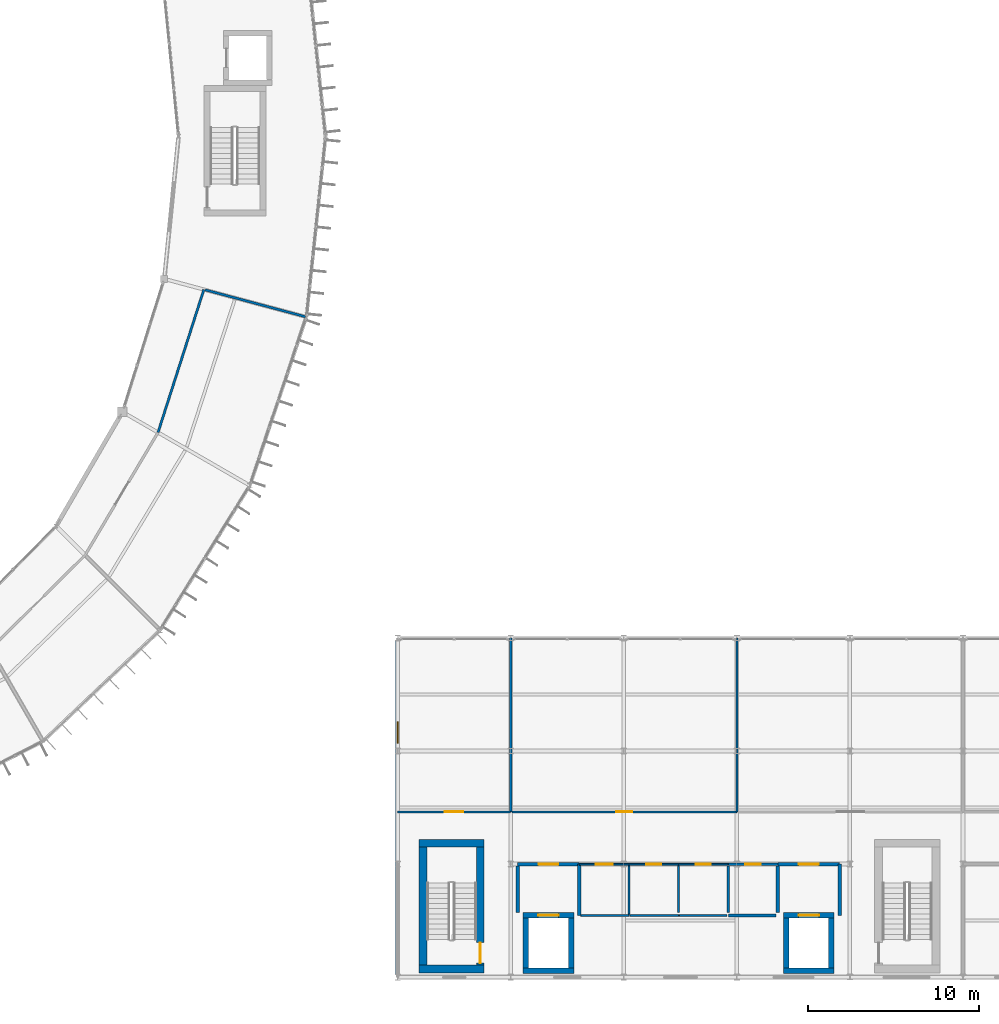
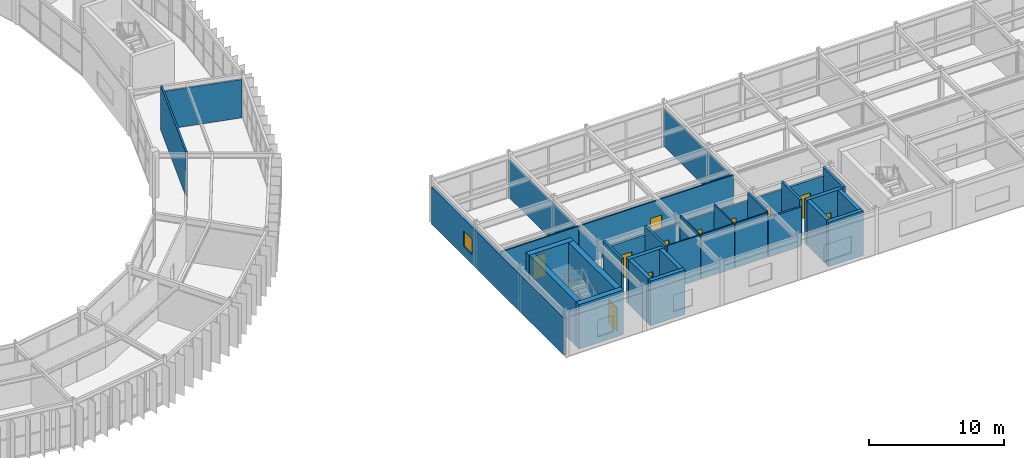
# One storey, part 117 of 134: 36 walls, 11 doors, 1 window, 12 openings.
"""IFC4 building model written with IfcOpenShell, lengths in metres."""

import ifcopenshell
import ifcopenshell.guid

model = None  # the IFC model being written
_history = None  # IfcOwnerHistory: only IFC2X3 demands one
_inside = {}  # id of a spatial element -> (the spatial element, [elements in it])
_under = {}  # id of a project, library or spatial element -> (it, [spatial elements below it])
_declared = {}  # id of a project -> (the project, [libraries it declares])
_typed = {}  # id of a type object -> (the type object, [elements of that type])
_made_of = {}  # id of a material, layer set ... -> (it, [elements and type objects made of it])


def new_model(schema):
    """Start an empty IFC model of exactly this schema.

    Asked for "IFC4X3", IfcOpenShell would pick the latest addendum, in which some entities
    have other attributes; the version numbers below select the first issue.
    IFC2X3 requires an IfcOwnerHistory on every rooted entity: one is made here for all.
    """
    global model, _history
    if schema == "IFC4X3":
        model = ifcopenshell.file(schema_version=(4, 3, 0, 0))
    else:
        model = ifcopenshell.file(schema=schema)
    _inside.clear()
    _under.clear()
    _declared.clear()
    _typed.clear()
    _made_of.clear()
    _history = None
    if model.schema == "IFC2X3":
        org = make("IfcOrganization", Name="unknown")
        user = make(
            "IfcPersonAndOrganization",
            ThePerson=make("IfcPerson", FamilyName="unknown"),
            TheOrganization=org,
        )
        app = make(
            "IfcApplication",
            ApplicationDeveloper=org,
            Version="unknown",
            ApplicationFullName="unknown",
            ApplicationIdentifier="unknown",
        )
        _history = make(
            "IfcOwnerHistory",
            OwningUser=user,
            OwningApplication=app,
            ChangeAction="ADDED",
            CreationDate=0,
        )
    return model


def make(cls, **values):
    """One entity of the class cls with the attributes given. An attribute that is None is left unset."""
    return model.create_entity(
        cls, **{name: value for name, value in values.items() if value is not None}
    )


def rooted(cls, **values):
    """An entity with a GlobalId (a new one), such as an element, a storey or a relation."""
    return make(cls, GlobalId=ifcopenshell.guid.new(), OwnerHistory=_history, **values)


def si_unit(unit_type, name, prefix=None):
    """IfcSIUnit, for example si_unit("LENGTHUNIT", "METRE", prefix="MILLI")."""
    return make("IfcSIUnit", UnitType=unit_type, Prefix=prefix, Name=name)


def assignment(units):
    """IfcUnitAssignment: the units of a project."""
    return None if units is None else make("IfcUnitAssignment", Units=units)


def point(xyz):
    """IfcCartesianPoint."""
    return None if xyz is None else make("IfcCartesianPoint", Coordinates=xyz)


def direction(xyz):
    """IfcDirection."""
    return None if xyz is None else make("IfcDirection", DirectionRatios=xyz)


def frame(location, z_axis=None, x_axis=None):
    """IfcAxis2Placement3D, a coordinate frame: its origin and axes. An axis left out is left unset."""
    return make(
        "IfcAxis2Placement3D",
        Location=point(location),
        Axis=direction(z_axis),
        RefDirection=direction(x_axis),
    )


def frame_2d(location, x_axis=None):
    """IfcAxis2Placement2D, a coordinate frame in the plane: its origin and x axis."""
    return make(
        "IfcAxis2Placement2D", Location=point(location), RefDirection=direction(x_axis)
    )


def origin():
    """The frame at (0, 0, 0) with its axes left unset."""
    return frame((0.0, 0.0, 0.0))


def place(relative_to, where):
    """IfcLocalPlacement: puts the frame where relative to a parent placement (None: the world)."""
    return make(
        "IfcLocalPlacement", PlacementRelTo=relative_to, RelativePlacement=where
    )


def context(
    kind, dimensions, precision=None, world=None, true_north=None, identifier=None
):
    """IfcGeometricRepresentationContext, for example the 3D "Model" context."""
    return make(
        "IfcGeometricRepresentationContext",
        ContextIdentifier=identifier,
        ContextType=kind,
        CoordinateSpaceDimension=dimensions,
        Precision=precision,
        WorldCoordinateSystem=world,
        TrueNorth=true_north,
    )


def subcontext(parent, identifier, kind, view, scale=None):
    """IfcGeometricRepresentationSubContext, for example "Body" below "Model"."""
    return make(
        "IfcGeometricRepresentationSubContext",
        ContextIdentifier=identifier,
        ContextType=kind,
        ParentContext=parent,
        TargetScale=scale,
        TargetView=view,
    )


def project(units=None, contexts=None):
    """IfcProject with its units and contexts."""
    return rooted(
        "IfcProject",
        Name="project",
        RepresentationContexts=contexts,
        UnitsInContext=assignment(units),
    )


def spatial(cls, under=None, at=None, **own):
    """A site, building, storey or space (cls), placed at a placement, below another one or the project."""
    s = rooted(cls, ObjectPlacement=at, **own)
    if under is not None:
        _under.setdefault(under.id(), (under, []))[1].append(s)
    return s


def profile(cls, at=None, kind="AREA", **sizes):
    """A parametric profile (cls). Its sizes go by their IFC names, for example OverallWidth=200.0."""
    return make(cls, ProfileType=kind, Position=at, **sizes)


def rectangle(**sizes):
    """IfcRectangleProfileDef."""
    return profile("IfcRectangleProfileDef", **sizes)


def extrude(swept, where, along, depth):
    """IfcExtrudedAreaSolid: the profile swept, set in the frame where, extruded along a direction by depth."""
    return make(
        "IfcExtrudedAreaSolid",
        SweptArea=swept,
        Position=where,
        ExtrudedDirection=direction(along),
        Depth=depth,
    )


def shape(context_of_items, identifier, shape_type, items):
    """IfcShapeRepresentation: the items that make up one representation, for example the "Body"."""
    return make(
        "IfcShapeRepresentation",
        ContextOfItems=context_of_items,
        RepresentationIdentifier=identifier,
        RepresentationType=shape_type,
        Items=items,
    )


def material(Name=None, Category=None):
    """IfcMaterial."""
    return make("IfcMaterial", Name=Name, Category=Category)


def layer(
    of_material, thickness, ventilated=None, Name=None, Category=None, Priority=None
):
    """IfcMaterialLayer: one layer of a wall or slab, of a material (None: an air gap)."""
    return make(
        "IfcMaterialLayer",
        Material=of_material,
        LayerThickness=thickness,
        IsVentilated=ventilated,
        Name=Name,
        Category=Category,
        Priority=Priority,
    )


def layer_set(layers, Name=None):
    """IfcMaterialLayerSet."""
    return make("IfcMaterialLayerSet", MaterialLayers=layers, LayerSetName=Name)


def made_of(thing, what):
    """Note that an element or type object is made of a material, layer set ...; save() writes the relation."""
    if what is not None:
        _made_of.setdefault(what.id(), (what, []))[1].append(thing)
    return thing


def type_object(cls, material=None, **own):
    """A type object (cls), such as IfcWallType, which elements share."""
    return made_of(rooted(cls, **own), material)


def element(
    cls,
    number,
    at=None,
    inside=None,
    cuts=None,
    type_object=None,
    material=None,
    context=None,
    identifier="Body",
    shape_type=None,
    held_by="IfcProductDefinitionShape",
    body=None,
    shapes=None,
    **own,
):
    """One element of the class cls, such as IfcWall. Its Tag is "e" and its number.

    at: its placement. inside: the storey or other place that contains it. cuts: it is an
    opening in that element (IfcRelVoidsElement). A single representation is given by context,
    identifier, shape_type and body (its items); several are given by shapes. held_by: the class
    of the entity that holds the representations. save() writes the other relations.
    """
    e = rooted(cls, Tag="e%d" % number, ObjectPlacement=at, **own)
    if body is not None:
        shapes = [shape(context, identifier, shape_type, body)]
    if shapes is not None:
        e.Representation = make(held_by, Representations=shapes)
    if inside is not None:
        _inside.setdefault(inside.id(), (inside, []))[1].append(e)
    if cuts is not None:
        rooted(
            "IfcRelVoidsElement", RelatingBuildingElement=cuts, RelatedOpeningElement=e
        )
    if type_object is not None:
        _typed.setdefault(type_object.id(), (type_object, []))[1].append(e)
    return made_of(e, material)


def fill(opening, filler):
    """IfcRelFillsElement: the door or window that sits in an opening."""
    return rooted(
        "IfcRelFillsElement",
        RelatingOpeningElement=opening,
        RelatedBuildingElement=filler,
    )


def aggregate(whole, parts):
    """IfcRelAggregates: a whole, such as a stair, and the parts it consists of."""
    return rooted("IfcRelAggregates", RelatingObject=whole, RelatedObjects=parts)


def save(model, path):
    """Write the relations noted so far, then the file.

    IfcRelAggregates (storeys below a building ...), IfcRelContainedInSpatialStructure (elements
    in a storey), IfcRelDefinesByType, IfcRelAssociatesMaterial and IfcRelDeclares: one each for
    every whole, place, type object, material and project.
    """
    for whole, parts in _under.values():
        aggregate(whole, parts)
    for where, things in _inside.values():
        rooted(
            "IfcRelContainedInSpatialStructure",
            RelatedElements=things,
            RelatingStructure=where,
        )
    for kind, things in _typed.values():
        rooted("IfcRelDefinesByType", RelatedObjects=things, RelatingType=kind)
    for what, things in _made_of.values():
        rooted("IfcRelAssociatesMaterial", RelatedObjects=things, RelatingMaterial=what)
    for by, libraries in _declared.values():
        rooted("IfcRelDeclares", RelatingContext=by, RelatedDefinitions=libraries)
    model.write(path)


model = new_model("IFC4")

# Units and contexts
model_context = context("Model", 3, precision=1e-05, world=origin(), true_north=direction((0.0, 1.0)))
body_context = subcontext(model_context, "Body", "Model", "MODEL_VIEW")
ifc_project = project(units=[si_unit("LENGTHUNIT", "METRE"), si_unit("AREAUNIT", "SQUARE_METRE"), si_unit("VOLUMEUNIT", "CUBIC_METRE"), si_unit("PLANEANGLEUNIT", "RADIAN"), si_unit("MASSUNIT", "GRAM", prefix="KILO")], contexts=[model_context])

# Site, building, storey
site_placement = place(None, origin())
site = spatial("IfcSite", under=ifc_project, at=site_placement, CompositionType="ELEMENT")
building_placement = place(site_placement, origin())
building = spatial("IfcBuilding", under=site, at=building_placement, Name="Karori Crest Natural Sciences Institute", CompositionType="ELEMENT")
storey_placement = place(building_placement, frame((0.0, 0.0, 21.699951171875)))
storey = spatial("IfcBuildingStorey", under=building, at=storey_placement, Name="L05", CompositionType="ELEMENT", Elevation=21.699951171875)

# Walls
ifc_material_1 = material(Name="Concrete 50 MPa", Category="concrete")
ifc_layer_1 = layer(ifc_material_1, 0.449951171875, Name="Concrete 50 MPa")
ifc_layer_set_1 = layer_set([ifc_layer_1], Name="Concrete 50 MPa")
wall_type_1 = type_object("IfcWallType", Name="IWT-01", PredefinedType="SHEAR", material=ifc_layer_set_1)
for number, where, z_axis, x_axis, name in (
    (1, (104.85009765625, 1.27490234375, 0.0), (0.0, 0.0, 1.0), (1.0, 0.0, 0.0), "Shear wall IW-0093"),
    (2, (104.85009765625, 8.625, 0.0), (0.0, 0.0, 1.0), (1.0, 0.0, 0.0), "Shear wall IW-0094"),
):
    element("IfcWall", number, at=place(storey_placement, frame(where, z_axis=z_axis, x_axis=x_axis)), inside=storey, type_object=wall_type_1, Name=name, PredefinedType="SHEAR", context=body_context, shape_type="SweptSolid", body=[
        extrude(rectangle(XDim=3.7998046875, YDim=0.449951171875, at=frame_2d((1.89990234375, 0.0))), origin(), (0.0, 0.0, 1.0), 4.02001953125),
    ])
wall_1_placement = place(storey_placement, frame((105.074951171875, 1.501953125, 0.0), z_axis=(0.0, 0.0, 1.0), x_axis=(0.0, 1.0, 0.0)))
element("IfcWall", 3, at=wall_1_placement, inside=storey, type_object=wall_type_1, Name="Shear wall IW-0095", PredefinedType="SHEAR", context=body_context, shape_type="SweptSolid", body=[
    extrude(rectangle(XDim=6.89599609375, YDim=0.449951171875, at=frame_2d((3.447998046875, 0.0))), origin(), (0.0, 0.0, 1.0), 4.02001953125),
])

# Wall, opening, door
wall_2_placement = place(storey_placement, frame((108.425048828125, 1.501953125, 0.0), z_axis=(0.0, 0.0, 1.0), x_axis=(0.0, 1.0, 0.0)))
wall_2 = element("IfcWall", 4, at=wall_2_placement, inside=storey, type_object=wall_type_1, Name="Shear wall IW-0096", PredefinedType="SHEAR", context=body_context, shape_type="SweptSolid", body=[
    extrude(rectangle(XDim=6.89599609375, YDim=0.449951171875, at=frame_2d((3.447998046875, 0.0))), origin(), (0.0, 0.0, 1.0), 4.02001953125),
])
opening_1_placement = place(wall_2_placement, frame((0.1201171875, 0.0, 0.0)))
opening_1 = element("IfcOpeningElement", 5, at=opening_1_placement, cuts=wall_2, Name="Opening ID-0024", PredefinedType="OPENING", context=body_context, shape_type="SweptSolid", body=[
    extrude(rectangle(XDim=1.199951171875, YDim=2.14990234375, at=frame_2d((0.60009765625, 1.074951171875))), frame((0.0, 0.23486328125, 0.0), z_axis=(0.0, -1.0, 0.0), x_axis=(1.0, 0.0, 0.0)), (0.0, 0.0, 1.0), 0.469970703125),
])
ifc_material_2 = material(Name="Stainless steel 316 and fire-rated timber", Category="steel")
door_type_1 = type_object("IfcDoorType", Name="IDT-01", OperationType="NOTDEFINED", PredefinedType="DOOR", material=ifc_material_2)
door_1_placement = place(opening_1_placement, origin())
door_1 = element("IfcDoor", 6, at=door_1_placement, inside=storey, type_object=door_type_1, Name="Stair ST-03 fire door ID-0024", OperationType="SINGLE_SWING_RIGHT", OverallHeight=2.14990234375, OverallWidth=1.199951171875, PredefinedType="DOOR", context=body_context, shape_type="SweptSolid", body=[
    extrude(rectangle(XDim=1.199951171875, YDim=2.14990234375, at=frame_2d((0.60009765625, 1.074951171875))), frame((0.0, 0.02490234375, 0.0), z_axis=(0.0, -1.0, 0.0), x_axis=(1.0, 0.0, 0.0)), (0.0, 0.0, 1.0), 0.050048828125),
])
fill(opening_1, door_1)

# Wall
ifc_layer_2 = layer(ifc_material_1, 0.320068359375, Name="Concrete 50 MPa")
ifc_layer_set_2 = layer_set([ifc_layer_2], Name="Concrete 50 MPa")
wall_type_2 = type_object("IfcWallType", Name="IWT-03", PredefinedType="SHEAR", material=ifc_layer_set_2)
wall_3_placement = place(storey_placement, frame((110.919921875, 1.179931640625, 0.0), z_axis=(0.0, 0.0, 1.0), x_axis=(1.0, 0.0, 0.0)))
element("IfcWall", 7, at=wall_3_placement, inside=storey, type_object=wall_type_2, Name="Shear wall IW-0329", PredefinedType="SHEAR", context=body_context, shape_type="SweptSolid", body=[
    extrude(rectangle(XDim=2.9599609375, YDim=0.320068359375, at=frame_2d((1.47998046875, 0.0))), origin(), (0.0, 0.0, 1.0), 4.02001953125),
])

# Wall, opening, door
wall_4_placement = place(storey_placement, frame((110.919921875, 4.419921875, 0.0), z_axis=(0.0, 0.0, 1.0), x_axis=(1.0, 0.0, 0.0)))
wall_4 = element("IfcWall", 8, at=wall_4_placement, inside=storey, type_object=wall_type_2, Name="Shear wall IW-0330", PredefinedType="SHEAR", context=body_context, shape_type="SweptSolid", body=[
    extrude(rectangle(XDim=2.9599609375, YDim=0.320068359375, at=frame_2d((1.47998046875, 0.0))), origin(), (0.0, 0.0, 1.0), 4.02001953125),
])
opening_2_placement = place(wall_4_placement, frame((0.8798828125, 0.0, 0.0)))
opening_2 = element("IfcOpeningElement", 9, at=opening_2_placement, cuts=wall_4, Name="Opening LD-0007", PredefinedType="OPENING", context=body_context, shape_type="SweptSolid", body=[
    extrude(rectangle(XDim=1.199951171875, YDim=2.199951171875, at=frame_2d((0.60009765625, 1.10009765625))), frame((0.0, 0.169921875, 0.0), z_axis=(0.0, -1.0, 0.0), x_axis=(1.0, 0.0, 0.0)), (0.0, 0.0, 1.0), 0.340087890625),
])
door_type_2 = type_object("IfcDoorType", Name="LDT-02", OperationType="SLIDING_TO_LEFT", PredefinedType="DOOR", material=ifc_material_2)
door_2_placement = place(opening_2_placement, origin())
door_2 = element("IfcDoor", 10, at=door_2_placement, inside=storey, type_object=door_type_2, Name="Lift LF-01 landing door LD-0007", OperationType="SLIDING_TO_LEFT", OverallHeight=2.199951171875, OverallWidth=1.199951171875, PredefinedType="DOOR", context=body_context, shape_type="SweptSolid", body=[
    extrude(rectangle(XDim=1.199951171875, YDim=2.199951171875, at=frame_2d((0.60009765625, 1.10009765625))), frame((0.0, 0.02490234375, 0.0), z_axis=(0.0, -1.0, 0.0), x_axis=(1.0, 0.0, 0.0)), (0.0, 0.0, 1.0), 0.050048828125),
])
fill(opening_2, door_2)

# Walls
for number, where, z_axis, x_axis, name in (
    (11, (111.080078125, 1.342041015625, 0.0), (0.0, 0.0, 1.0), (0.0, 1.0, 0.0), "Shear wall IW-0331"),
    (12, (113.719970703125, 1.342041015625, 0.0), (0.0, 0.0, 1.0), (0.0, 1.0, 0.0), "Shear wall IW-0332"),
):
    element("IfcWall", number, at=place(storey_placement, frame(where, z_axis=z_axis, x_axis=x_axis)), inside=storey, type_object=wall_type_2, Name=name, PredefinedType="SHEAR", context=body_context, shape_type="SweptSolid", body=[
        extrude(rectangle(XDim=2.916015625, YDim=0.320068359375, at=frame_2d((1.4580078125, 0.0))), origin(), (0.0, 0.0, 1.0), 4.02001953125),
    ])
wall_5_placement = place(storey_placement, frame((126.1201171875, 1.179931640625, 0.0), z_axis=(0.0, 0.0, 1.0), x_axis=(1.0, 0.0, 0.0)))
element("IfcWall", 13, at=wall_5_placement, inside=storey, type_object=wall_type_2, Name="Shear wall IW-0377", PredefinedType="SHEAR", context=body_context, shape_type="SweptSolid", body=[
    extrude(rectangle(XDim=2.9599609375, YDim=0.320068359375, at=frame_2d((1.47998046875, 0.0))), origin(), (0.0, 0.0, 1.0), 4.02001953125),
])

# Wall, opening, door
wall_6_placement = place(storey_placement, frame((126.1201171875, 4.419921875, 0.0), z_axis=(0.0, 0.0, 1.0), x_axis=(1.0, 0.0, 0.0)))
wall_6 = element("IfcWall", 14, at=wall_6_placement, inside=storey, type_object=wall_type_2, Name="Shear wall IW-0378", PredefinedType="SHEAR", context=body_context, shape_type="SweptSolid", body=[
    extrude(rectangle(XDim=2.9599609375, YDim=0.320068359375, at=frame_2d((1.47998046875, 0.0))), origin(), (0.0, 0.0, 1.0), 4.02001953125),
])
opening_3_placement = place(wall_6_placement, frame((0.8798828125, 0.0, 0.0)))
opening_3 = element("IfcOpeningElement", 15, at=opening_3_placement, cuts=wall_6, Name="Opening LD-0019", PredefinedType="OPENING", context=body_context, shape_type="SweptSolid", body=[
    extrude(rectangle(XDim=1.199951171875, YDim=2.199951171875, at=frame_2d((0.60009765625, 1.10009765625))), frame((0.0, 0.169921875, 0.0), z_axis=(0.0, -1.0, 0.0), x_axis=(1.0, 0.0, 0.0)), (0.0, 0.0, 1.0), 0.340087890625),
])
door_3_placement = place(opening_3_placement, origin())
door_3 = element("IfcDoor", 16, at=door_3_placement, inside=storey, type_object=door_type_2, Name="Lift LF-02 landing door LD-0019", OperationType="SLIDING_TO_LEFT", OverallHeight=2.199951171875, OverallWidth=1.199951171875, PredefinedType="DOOR", context=body_context, shape_type="SweptSolid", body=[
    extrude(rectangle(XDim=1.199951171875, YDim=2.199951171875, at=frame_2d((0.60009765625, 1.10009765625))), frame((0.0, 0.02490234375, 0.0), z_axis=(0.0, -1.0, 0.0), x_axis=(1.0, 0.0, 0.0)), (0.0, 0.0, 1.0), 0.050048828125),
])
fill(opening_3, door_3)

# Walls
for number, where, z_axis, x_axis, name in (
    (17, (126.280029296875, 1.342041015625, 0.0), (0.0, 0.0, 1.0), (0.0, 1.0, 0.0), "Shear wall IW-0379"),
    (18, (128.919921875, 1.342041015625, 0.0), (0.0, 0.0, 1.0), (0.0, 1.0, 0.0), "Shear wall IW-0380"),
):
    element("IfcWall", number, at=place(storey_placement, frame(where, z_axis=z_axis, x_axis=x_axis)), inside=storey, type_object=wall_type_2, Name=name, PredefinedType="SHEAR", context=body_context, shape_type="SweptSolid", body=[
        extrude(rectangle(XDim=2.916015625, YDim=0.320068359375, at=frame_2d((1.4580078125, 0.0))), origin(), (0.0, 0.0, 1.0), 4.02001953125),
    ])

# Wall, opening, door
ifc_material_3 = material(Name="Concrete 40 MPa", Category="concrete")
ifc_layer_3 = layer(ifc_material_3, 0.199951171875, Name="Concrete 40 MPa")
ifc_layer_set_3 = layer_set([ifc_layer_3], Name="Concrete 40 MPa")
wall_type_3 = type_object("IfcWallType", Name="IWT-04", PredefinedType="SOLIDWALL", material=ifc_layer_set_3)
wall_7_placement = place(storey_placement, frame((110.60009765625, 7.39990234375, 0.0), z_axis=(0.0, 0.0, 1.0), x_axis=(1.0, 0.0, 0.0)))
wall_7 = element("IfcWall", 19, at=wall_7_placement, inside=storey, type_object=wall_type_3, Name="Partition wall IW-0722", PredefinedType="SOLIDWALL", context=body_context, shape_type="SweptSolid", body=[
    extrude(rectangle(XDim=3.599853515625, YDim=0.199951171875, at=frame_2d((1.7998046875, 0.0))), origin(), (0.0, 0.0, 1.0), 3.29296875),
])
opening_4_placement = place(wall_7_placement, frame((1.22509765625, 0.0, 0.0)))
opening_4 = element("IfcOpeningElement", 20, at=opening_4_placement, cuts=wall_7, Name="Opening ID-0149", PredefinedType="OPENING", context=body_context, shape_type="SweptSolid", body=[
    extrude(rectangle(XDim=1.14990234375, YDim=2.14990234375, at=frame_2d((0.574951171875, 1.074951171875))), frame((0.0, 0.10986328125, 0.0), z_axis=(0.0, -1.0, 0.0), x_axis=(1.0, 0.0, 0.0)), (0.0, 0.0, 1.0), 0.219970703125),
])
door_type_3 = type_object("IfcDoorType", Name="IDT-02", OperationType="NOTDEFINED", PredefinedType="DOOR", material=ifc_material_2)
door_4_placement = place(opening_4_placement, origin())
door_4 = element("IfcDoor", 21, at=door_4_placement, inside=storey, type_object=door_type_3, Name="Firefighting Lift Lobby West door ID-0149", OperationType="SINGLE_SWING_LEFT", OverallHeight=2.14990234375, OverallWidth=1.14990234375, PredefinedType="DOOR", context=body_context, shape_type="SweptSolid", body=[
    extrude(rectangle(XDim=1.14990234375, YDim=2.14990234375, at=frame_2d((0.574951171875, 1.074951171875))), frame((0.0, 0.02490234375, 0.0), z_axis=(0.0, -1.0, 0.0), x_axis=(1.0, 0.0, 0.0)), (0.0, 0.0, 1.0), 0.050048828125),
])
fill(opening_4, door_4)

# Walls
wall_8_placement = place(storey_placement, frame((110.60009765625, 4.58203125, 0.0), z_axis=(0.0, 0.0, 1.0), x_axis=(0.0, 1.0, 0.0)))
element("IfcWall", 22, at=wall_8_placement, inside=storey, type_object=wall_type_3, Name="Partition wall IW-0723", PredefinedType="SOLIDWALL", context=body_context, shape_type="SweptSolid", body=[
    extrude(rectangle(XDim=2.716064453125, YDim=0.199951171875, at=frame_2d((1.35791015625, 0.0))), origin(), (0.0, 0.0, 1.0), 4.02001953125),
])
wall_9_placement = place(storey_placement, frame((114.199951171875, 4.39990234375, 0.0), z_axis=(0.0, 0.0, 1.0), x_axis=(0.0, 1.0, 0.0)))
element("IfcWall", 23, at=wall_9_placement, inside=storey, type_object=wall_type_3, Name="Partition wall IW-0724", PredefinedType="SOLIDWALL", context=body_context, shape_type="SweptSolid", body=[
    extrude(rectangle(XDim=3.0, YDim=0.199951171875, at=frame_2d((1.5, 0.0))), origin(), (0.0, 0.0, 1.0), 4.02001953125),
])

# Wall, opening, door
wall_10_placement = place(storey_placement, frame((125.800048828125, 7.39990234375, 0.0), z_axis=(0.0, 0.0, 1.0), x_axis=(1.0, 0.0, 0.0)))
wall_10 = element("IfcWall", 24, at=wall_10_placement, inside=storey, type_object=wall_type_3, Name="Partition wall IW-0725", PredefinedType="SOLIDWALL", context=body_context, shape_type="SweptSolid", body=[
    extrude(rectangle(XDim=3.599853515625, YDim=0.199951171875, at=frame_2d((1.7998046875, 0.0))), origin(), (0.0, 0.0, 1.0), 3.29296875),
])
opening_5_placement = place(wall_10_placement, frame((1.22509765625, 0.0, 0.0)))
opening_5 = element("IfcOpeningElement", 25, at=opening_5_placement, cuts=wall_10, Name="Opening ID-0150", PredefinedType="OPENING", context=body_context, shape_type="SweptSolid", body=[
    extrude(rectangle(XDim=1.14990234375, YDim=2.14990234375, at=frame_2d((0.574951171875, 1.074951171875))), frame((0.0, 0.10986328125, 0.0), z_axis=(0.0, -1.0, 0.0), x_axis=(1.0, 0.0, 0.0)), (0.0, 0.0, 1.0), 0.219970703125),
])
door_5_placement = place(opening_5_placement, origin())
door_5 = element("IfcDoor", 26, at=door_5_placement, inside=storey, type_object=door_type_3, Name="Firefighting Lift Lobby East door ID-0150", OperationType="SINGLE_SWING_RIGHT", OverallHeight=2.14990234375, OverallWidth=1.14990234375, PredefinedType="DOOR", context=body_context, shape_type="SweptSolid", body=[
    extrude(rectangle(XDim=1.14990234375, YDim=2.14990234375, at=frame_2d((0.574951171875, 1.074951171875))), frame((0.0, 0.02490234375, 0.0), z_axis=(0.0, -1.0, 0.0), x_axis=(1.0, 0.0, 0.0)), (0.0, 0.0, 1.0), 0.050048828125),
])
fill(opening_5, door_5)

# Walls
wall_11_placement = place(storey_placement, frame((125.800048828125, 4.58203125, 0.0), z_axis=(0.0, 0.0, 1.0), x_axis=(0.0, 1.0, 0.0)))
element("IfcWall", 27, at=wall_11_placement, inside=storey, type_object=wall_type_3, Name="Partition wall IW-0726", PredefinedType="SOLIDWALL", context=body_context, shape_type="SweptSolid", body=[
    extrude(rectangle(XDim=2.716064453125, YDim=0.199951171875, at=frame_2d((1.35791015625, 0.0))), origin(), (0.0, 0.0, 1.0), 4.02001953125),
])
wall_12_placement = place(storey_placement, frame((129.39990234375, 4.39990234375, 0.0), z_axis=(0.0, 0.0, 1.0), x_axis=(0.0, 1.0, 0.0)))
element("IfcWall", 28, at=wall_12_placement, inside=storey, type_object=wall_type_3, Name="Partition wall IW-0727", PredefinedType="SOLIDWALL", context=body_context, shape_type="SweptSolid", body=[
    extrude(rectangle(XDim=3.0, YDim=0.199951171875, at=frame_2d((1.5, 0.0))), origin(), (0.0, 0.0, 1.0), 4.02001953125),
])
ifc_material_4 = material(Name="Acoustic steel-stud fireboard partition", Category="steel")
ifc_layer_4 = layer(ifc_material_4, 0.159912109375, Name="Acoustic steel-stud fireboard partition")
ifc_layer_set_4 = layer_set([ifc_layer_4], Name="Acoustic steel-stud fireboard partition")
wall_type_4 = type_object("IfcWallType", Name="IWT-05", PredefinedType="PARTITIONING", material=ifc_layer_set_4)
wall_13_placement = place(storey_placement, frame((122.89990234375, 4.39990234375, 0.0), z_axis=(0.0, 0.0, 1.0), x_axis=(1.0, 0.0, 0.0)))
element("IfcWall", 29, at=wall_13_placement, inside=storey, type_object=wall_type_4, Name="Partition wall IW-0728", PredefinedType="PARTITIONING", context=body_context, shape_type="SweptSolid", body=[
    extrude(rectangle(XDim=2.798095703125, YDim=0.159912109375, at=frame_2d((1.39892578125, 0.0))), origin(), (0.0, 0.0, 1.0), 3.546142578125),
])

# Wall, opening, door
wall_14_placement = place(storey_placement, frame((122.89990234375, 7.39990234375, 0.0), z_axis=(0.0, 0.0, 1.0), x_axis=(1.0, 0.0, 0.0)))
wall_14 = element("IfcWall", 30, at=wall_14_placement, inside=storey, type_object=wall_type_4, Name="Partition wall IW-0729", PredefinedType="PARTITIONING", context=body_context, shape_type="SweptSolid", body=[
    extrude(rectangle(XDim=2.898193359375, YDim=0.159912109375, at=frame_2d((1.44921875, 0.0))), origin(), (0.0, 0.0, 1.0), 3.29296875),
])
opening_6_placement = place(wall_14_placement, frame((0.989013671875, 0.0, 0.0)))
opening_6 = element("IfcOpeningElement", 31, at=opening_6_placement, cuts=wall_14, Name="Opening ID-0151", PredefinedType="OPENING", context=body_context, shape_type="SweptSolid", body=[
    extrude(rectangle(XDim=0.919921875, YDim=2.1201171875, at=frame_2d((0.4599609375, 1.06005859375))), frame((0.0, 0.08984375, 0.0), z_axis=(0.0, -1.0, 0.0), x_axis=(1.0, 0.0, 0.0)), (0.0, 0.0, 1.0), 0.179931640625),
])
door_type_4 = type_object("IfcDoorType", Name="IDT-14", OperationType="NOTDEFINED", PredefinedType="DOOR", material=ifc_material_2)
door_6_placement = place(opening_6_placement, origin())
door_6 = element("IfcDoor", 32, at=door_6_placement, inside=storey, type_object=door_type_4, Name="Research Archive Store door ID-0151", OperationType="SINGLE_SWING_LEFT", OverallHeight=2.1201171875, OverallWidth=0.919921875, PredefinedType="DOOR", context=body_context, shape_type="SweptSolid", body=[
    extrude(rectangle(XDim=0.919921875, YDim=2.1201171875, at=frame_2d((0.4599609375, 1.06005859375))), frame((0.0, 0.02490234375, 0.0), z_axis=(0.0, -1.0, 0.0), x_axis=(1.0, 0.0, 0.0)), (0.0, 0.0, 1.0), 0.050048828125),
])
fill(opening_6, door_6)

# Walls
wall_15_placement = place(storey_placement, frame((122.89990234375, 4.58203125, 0.0), z_axis=(0.0, 0.0, 1.0), x_axis=(0.0, 1.0, 0.0)))
element("IfcWall", 33, at=wall_15_placement, inside=storey, type_object=wall_type_4, Name="Partition wall IW-0730", PredefinedType="PARTITIONING", context=body_context, shape_type="SweptSolid", body=[
    extrude(rectangle(XDim=2.716064453125, YDim=0.159912109375, at=frame_2d((1.35791015625, 0.0))), origin(), (0.0, 0.0, 1.0), 4.02001953125),
])
ifc_material_5 = material(Name="Laboratory acoustic drywall partition")
ifc_layer_5 = layer(ifc_material_5, 0.139892578125, Name="Laboratory acoustic drywall partition")
ifc_layer_set_5 = layer_set([ifc_layer_5], Name="Laboratory acoustic drywall partition")
wall_type_5 = type_object("IfcWallType", Name="IWT-07", PredefinedType="PARTITIONING", material=ifc_layer_set_5)
wall_16_placement = place(storey_placement, frame((89.610107421875, 32.601806640625, 0.0), z_axis=(0.0, 0.0, 1.0), x_axis=(0.305499533667, 0.952192225829, 0.0)))
element("IfcWall", 34, at=wall_16_placement, inside=storey, type_object=wall_type_5, Name="Partition wall IW-1404", PredefinedType="PARTITIONING", context=body_context, shape_type="SweptSolid", body=[
    extrude(rectangle(XDim=8.761962890625, YDim=0.139892578125, at=frame_2d((4.380859375, 0.0))), origin(), (0.0, 0.0, 1.0), 3.97998046875),
])
wall_17_placement = place(storey_placement, frame((92.364013671875, 40.92431640625, 0.0), z_axis=(0.0, 0.0, 1.0), x_axis=(0.96591927772, -0.258843483457, 0.0)))
element("IfcWall", 35, at=wall_17_placement, inside=storey, type_object=wall_type_5, Name="Partition wall IW-1405", PredefinedType="PARTITIONING", context=body_context, shape_type="SweptSolid", body=[
    extrude(rectangle(XDim=6.06005859375, YDim=0.139892578125, at=frame_2d((3.030029296875, 0.0))), origin(), (0.0, 0.0, 1.0), 3.465087890625),
])

# Wall, opening, door
ifc_material_6 = material(Name="Write-up office acoustic partition")
ifc_layer_6 = layer(ifc_material_6, 0.1201171875, Name="Write-up office acoustic partition")
ifc_layer_set_6 = layer_set([ifc_layer_6], Name="Write-up office acoustic partition")
wall_type_6 = type_object("IfcWallType", Name="IWT-08", PredefinedType="PARTITIONING", material=ifc_layer_set_6)
wall_18_placement = place(storey_placement, frame((103.60009765625, 10.449951171875, 0.0), z_axis=(0.0, 0.0, 1.0), x_axis=(1.0, 0.0, 0.0)))
wall_18 = element("IfcWall", 36, at=wall_18_placement, inside=storey, type_object=wall_type_6, Name="Partition wall IW-0743", PredefinedType="PARTITIONING", context=body_context, shape_type="SweptSolid", body=[
    extrude(rectangle(XDim=6.599853515625, YDim=0.1201171875, at=frame_2d((3.2998046875, 0.0))), origin(), (0.0, 0.0, 1.0), 3.546142578125),
])
opening_7_placement = place(wall_18_placement, frame((2.760009765625, 0.0, 0.0)))
opening_7 = element("IfcOpeningElement", 37, at=opening_7_placement, cuts=wall_18, Name="Opening ID-0157", PredefinedType="OPENING", context=body_context, shape_type="SweptSolid", body=[
    extrude(rectangle(XDim=1.080078125, YDim=2.1201171875, at=frame_2d((0.5400390625, 1.06005859375))), frame((0.0, 0.070068359375, 0.0), z_axis=(0.0, -1.0, 0.0), x_axis=(1.0, 0.0, 0.0)), (0.0, 0.0, 1.0), 0.14013671875),
])
ifc_material_7 = material(Name="Anodised aluminium and acoustic timber", Category="wood")
door_type_5 = type_object("IfcDoorType", Name="IDT-12", OperationType="NOTDEFINED", PredefinedType="DOOR", material=ifc_material_7)
door_7_placement = place(opening_7_placement, origin())
door_7 = element("IfcDoor", 38, at=door_7_placement, inside=storey, type_object=door_type_5, Name="Principal Investigator Suite door ID-0157", OperationType="SINGLE_SWING_LEFT", OverallHeight=2.1201171875, OverallWidth=1.080078125, PredefinedType="DOOR", context=body_context, shape_type="SweptSolid", body=[
    extrude(rectangle(XDim=1.080078125, YDim=2.1201171875, at=frame_2d((0.5400390625, 1.06005859375))), frame((0.0, 0.02490234375, 0.0), z_axis=(0.0, -1.0, 0.0), x_axis=(1.0, 0.0, 0.0)), (0.0, 0.0, 1.0), 0.050048828125),
])
fill(opening_7, door_7)

# Wall
wall_19_placement = place(storey_placement, frame((110.199951171875, 10.449951171875, 0.0), z_axis=(0.0, 0.0, 1.0), x_axis=(0.0, 1.0, 0.0)))
element("IfcWall", 39, at=wall_19_placement, inside=storey, type_object=wall_type_6, Name="Partition wall IW-0744", PredefinedType="PARTITIONING", context=body_context, shape_type="SweptSolid", body=[
    extrude(rectangle(XDim=10.150146484375, YDim=0.1201171875, at=frame_2d((5.0751953125, 0.0))), origin(), (0.0, 0.0, 1.0), 3.3720703125),
])

# Wall, opening, door
wall_20_placement = place(storey_placement, frame((110.261962890625, 10.449951171875, 0.0), z_axis=(0.0, 0.0, 1.0), x_axis=(1.0, 0.0, 0.0)))
wall_20 = element("IfcWall", 40, at=wall_20_placement, inside=storey, type_object=wall_type_6, Name="Partition wall IW-0745", PredefinedType="PARTITIONING", context=body_context, shape_type="SweptSolid", body=[
    extrude(rectangle(XDim=13.137939453125, YDim=0.1201171875, at=frame_2d((6.56884765625, 0.0))), origin(), (0.0, 0.0, 1.0), 3.546142578125),
])
opening_8_placement = place(wall_20_placement, frame((6.093994140625, 0.0, 0.0)))
opening_8 = element("IfcOpeningElement", 41, at=opening_8_placement, cuts=wall_20, Name="Opening ID-0158", PredefinedType="OPENING", context=body_context, shape_type="SweptSolid", body=[
    extrude(rectangle(XDim=0.949951171875, YDim=2.10009765625, at=frame_2d((0.47509765625, 1.050048828125))), frame((0.0, 0.070068359375, 0.0), z_axis=(0.0, -1.0, 0.0), x_axis=(1.0, 0.0, 0.0)), (0.0, 0.0, 1.0), 0.14013671875),
])
door_type_6 = type_object("IfcDoorType", Name="IDT-08", OperationType="NOTDEFINED", PredefinedType="DOOR", material=ifc_material_7)
door_8_placement = place(opening_8_placement, origin())
door_8 = element("IfcDoor", 42, at=door_8_placement, inside=storey, type_object=door_type_6, Name="Dry Research Studio door ID-0158", OperationType="SINGLE_SWING_RIGHT", OverallHeight=2.10009765625, OverallWidth=0.949951171875, PredefinedType="DOOR", context=body_context, shape_type="SweptSolid", body=[
    extrude(rectangle(XDim=0.949951171875, YDim=2.10009765625, at=frame_2d((0.47509765625, 1.050048828125))), frame((0.0, 0.02490234375, 0.0), z_axis=(0.0, -1.0, 0.0), x_axis=(1.0, 0.0, 0.0)), (0.0, 0.0, 1.0), 0.050048828125),
])
fill(opening_8, door_8)

# Walls
wall_21_placement = place(storey_placement, frame((123.39990234375, 10.449951171875, 0.0), z_axis=(0.0, 0.0, 1.0), x_axis=(0.0, 1.0, 0.0)))
element("IfcWall", 43, at=wall_21_placement, inside=storey, type_object=wall_type_6, Name="Partition wall IW-0746", PredefinedType="PARTITIONING", context=body_context, shape_type="SweptSolid", body=[
    extrude(rectangle(XDim=10.150146484375, YDim=0.1201171875, at=frame_2d((5.0751953125, 0.0))), origin(), (0.0, 0.0, 1.0), 3.3720703125),
])
ifc_material_8 = material(Name="Washroom moisture-resistant partition")
ifc_layer_7 = layer(ifc_material_8, 0.10009765625, Name="Washroom moisture-resistant partition")
ifc_layer_set_7 = layer_set([ifc_layer_7], Name="Washroom moisture-resistant partition")
wall_type_7 = type_object("IfcWallType", Name="IWT-09", PredefinedType="PARTITIONING", material=ifc_layer_set_7)
wall_22_placement = place(storey_placement, frame((114.302001953125, 4.39990234375, 0.0), z_axis=(0.0, 0.0, 1.0), x_axis=(1.0, 0.0, 0.0)))
element("IfcWall", 44, at=wall_22_placement, inside=storey, type_object=wall_type_7, Name="Partition wall IW-0731", PredefinedType="PARTITIONING", context=body_context, shape_type="SweptSolid", body=[
    extrude(rectangle(XDim=2.798095703125, YDim=0.10009765625, at=frame_2d((1.39892578125, 0.0))), origin(), (0.0, 0.0, 1.0), 4.02001953125),
])

# Wall, opening, door
wall_23_placement = place(storey_placement, frame((114.201904296875, 7.39990234375, 0.0), z_axis=(0.0, 0.0, 1.0), x_axis=(1.0, 0.0, 0.0)))
wall_23 = element("IfcWall", 45, at=wall_23_placement, inside=storey, type_object=wall_type_7, Name="Partition wall IW-0732", PredefinedType="PARTITIONING", context=body_context, shape_type="SweptSolid", body=[
    extrude(rectangle(XDim=2.898193359375, YDim=0.10009765625, at=frame_2d((1.44921875, 0.0))), origin(), (0.0, 0.0, 1.0), 3.29296875),
])
opening_9_placement = place(wall_23_placement, frame((0.948974609375, 0.0, 0.0)))
opening_9 = element("IfcOpeningElement", 46, at=opening_9_placement, cuts=wall_23, Name="Opening ID-0152", PredefinedType="OPENING", context=body_context, shape_type="SweptSolid", body=[
    extrude(rectangle(XDim=1.0, YDim=2.10009765625, at=frame_2d((0.5, 1.050048828125))), frame((0.0, 0.06005859375, 0.0), z_axis=(0.0, -1.0, 0.0), x_axis=(1.0, 0.0, 0.0)), (0.0, 0.0, 1.0), 0.1201171875),
])
door_type_7 = type_object("IfcDoorType", Name="IDT-09", OperationType="NOTDEFINED", PredefinedType="DOOR", material=ifc_material_7)
door_9_placement = place(opening_9_placement, origin())
door_9 = element("IfcDoor", 47, at=door_9_placement, inside=storey, type_object=door_type_7, Name="Accessible WC door ID-0152", OperationType="SINGLE_SWING_RIGHT", OverallHeight=2.10009765625, OverallWidth=1.0, PredefinedType="DOOR", context=body_context, shape_type="SweptSolid", body=[
    extrude(rectangle(XDim=1.0, YDim=2.10009765625, at=frame_2d((0.5, 1.050048828125))), frame((0.0, 0.02490234375, 0.0), z_axis=(0.0, -1.0, 0.0), x_axis=(1.0, 0.0, 0.0)), (0.0, 0.0, 1.0), 0.050048828125),
])
fill(opening_9, door_9)

# Walls
wall_24_placement = place(storey_placement, frame((117.10009765625, 4.48193359375, 0.0), z_axis=(0.0, 0.0, 1.0), x_axis=(0.0, 1.0, 0.0)))
element("IfcWall", 48, at=wall_24_placement, inside=storey, type_object=wall_type_7, Name="Partition wall IW-0733", PredefinedType="PARTITIONING", context=body_context, shape_type="SweptSolid", body=[
    extrude(rectangle(XDim=2.816162109375, YDim=0.10009765625, at=frame_2d((1.408203125, 0.0))), origin(), (0.0, 0.0, 1.0), 4.02001953125),
])
wall_25_placement = place(storey_placement, frame((117.152099609375, 4.39990234375, 0.0), z_axis=(0.0, 0.0, 1.0), x_axis=(1.0, 0.0, 0.0)))
element("IfcWall", 49, at=wall_25_placement, inside=storey, type_object=wall_type_7, Name="Partition wall IW-0734", PredefinedType="PARTITIONING", context=body_context, shape_type="SweptSolid", body=[
    extrude(rectangle(XDim=2.847900390625, YDim=0.10009765625, at=frame_2d((1.423828125, 0.0))), origin(), (0.0, 0.0, 1.0), 4.02001953125),
])

# Wall, opening, door
wall_26_placement = place(storey_placement, frame((117.10205078125, 7.39990234375, 0.0), z_axis=(0.0, 0.0, 1.0), x_axis=(1.0, 0.0, 0.0)))
wall_26 = element("IfcWall", 50, at=wall_26_placement, inside=storey, type_object=wall_type_7, Name="Partition wall IW-0735", PredefinedType="PARTITIONING", context=body_context, shape_type="SweptSolid", body=[
    extrude(rectangle(XDim=2.89794921875, YDim=0.10009765625, at=frame_2d((1.448974609375, 0.0))), origin(), (0.0, 0.0, 1.0), 3.29296875),
])
opening_10_placement = place(wall_26_placement, frame((1.009033203125, 0.0, 0.0)))
opening_10 = element("IfcOpeningElement", 51, at=opening_10_placement, cuts=wall_26, Name="Opening ID-0153", PredefinedType="OPENING", context=body_context, shape_type="SweptSolid", body=[
    extrude(rectangle(XDim=0.8798828125, YDim=2.080078125, at=frame_2d((0.43994140625, 1.0400390625))), frame((0.0, 0.06005859375, 0.0), z_axis=(0.0, -1.0, 0.0), x_axis=(1.0, 0.0, 0.0)), (0.0, 0.0, 1.0), 0.1201171875),
])
door_type_8 = type_object("IfcDoorType", Name="IDT-10", OperationType="NOTDEFINED", PredefinedType="DOOR", material=ifc_material_7)
door_10_placement = place(opening_10_placement, origin())
door_10 = element("IfcDoor", 52, at=door_10_placement, inside=storey, type_object=door_type_8, Name="Female Washroom WC door ID-0153", OperationType="SINGLE_SWING_LEFT", OverallHeight=2.080078125, OverallWidth=0.8798828125, PredefinedType="DOOR", context=body_context, shape_type="SweptSolid", body=[
    extrude(rectangle(XDim=0.8798828125, YDim=2.080078125, at=frame_2d((0.43994140625, 1.0400390625))), frame((0.0, 0.02490234375, 0.0), z_axis=(0.0, -1.0, 0.0), x_axis=(1.0, 0.0, 0.0)), (0.0, 0.0, 1.0), 0.050048828125),
])
fill(opening_10, door_10)

# Walls
wall_27_placement = place(storey_placement, frame((120.0, 4.58203125, 0.0), z_axis=(0.0, 0.0, 1.0), x_axis=(0.0, 1.0, 0.0)))
element("IfcWall", 53, at=wall_27_placement, inside=storey, type_object=wall_type_7, Name="Partition wall IW-0736", PredefinedType="PARTITIONING", context=body_context, shape_type="SweptSolid", body=[
    extrude(rectangle(XDim=2.716064453125, YDim=0.10009765625, at=frame_2d((1.35791015625, 0.0))), origin(), (0.0, 0.0, 1.0), 4.02001953125),
])
wall_28_placement = place(storey_placement, frame((120.052001953125, 4.39990234375, 0.0), z_axis=(0.0, 0.0, 1.0), x_axis=(1.0, 0.0, 0.0)))
element("IfcWall", 54, at=wall_28_placement, inside=storey, type_object=wall_type_7, Name="Partition wall IW-0737", PredefinedType="PARTITIONING", context=body_context, shape_type="SweptSolid", body=[
    extrude(rectangle(XDim=2.76611328125, YDim=0.10009765625, at=frame_2d((1.383056640625, 0.0))), origin(), (0.0, 0.0, 1.0), 4.02001953125),
])

# Wall, opening, door
wall_29_placement = place(storey_placement, frame((120.001953125, 7.39990234375, 0.0), z_axis=(0.0, 0.0, 1.0), x_axis=(1.0, 0.0, 0.0)))
wall_29 = element("IfcWall", 55, at=wall_29_placement, inside=storey, type_object=wall_type_7, Name="Partition wall IW-0738", PredefinedType="PARTITIONING", context=body_context, shape_type="SweptSolid", body=[
    extrude(rectangle(XDim=2.89599609375, YDim=0.10009765625, at=frame_2d((1.447998046875, 0.0))), origin(), (0.0, 0.0, 1.0), 3.29296875),
])
opening_11_placement = place(wall_29_placement, frame((1.008056640625, 0.0, 0.0)))
opening_11 = element("IfcOpeningElement", 56, at=opening_11_placement, cuts=wall_29, Name="Opening ID-0154", PredefinedType="OPENING", context=body_context, shape_type="SweptSolid", body=[
    extrude(rectangle(XDim=0.8798828125, YDim=2.080078125, at=frame_2d((0.43994140625, 1.0400390625))), frame((0.0, 0.06005859375, 0.0), z_axis=(0.0, -1.0, 0.0), x_axis=(1.0, 0.0, 0.0)), (0.0, 0.0, 1.0), 0.1201171875),
])
door_11_placement = place(opening_11_placement, origin())
door_11 = element("IfcDoor", 57, at=door_11_placement, inside=storey, type_object=door_type_8, Name="Male Washroom WC door ID-0154", OperationType="SINGLE_SWING_RIGHT", OverallHeight=2.080078125, OverallWidth=0.8798828125, PredefinedType="DOOR", context=body_context, shape_type="SweptSolid", body=[
    extrude(rectangle(XDim=0.8798828125, YDim=2.080078125, at=frame_2d((0.43994140625, 1.0400390625))), frame((0.0, 0.02490234375, 0.0), z_axis=(0.0, -1.0, 0.0), x_axis=(1.0, 0.0, 0.0)), (0.0, 0.0, 1.0), 0.050048828125),
])
fill(opening_11, door_11)

# Wall, opening, window
ifc_material_9 = material(Name="Precast concrete 40 MPa", Category="concrete")
ifc_layer_8 = layer(ifc_material_9, 0.239990234375, Name="Precast concrete 40 MPa")
ifc_layer_set_8 = layer_set([ifc_layer_8], Name="Precast concrete 40 MPa")
wall_type_8 = type_object("IfcWallType", Name="WT-04", PredefinedType="SOLIDWALL", material=ifc_layer_set_8)
wall_30_placement = place(storey_placement, frame((103.60009765625, 0.96142578125, 0.0), z_axis=(0.0, 0.0, 1.0), x_axis=(0.0, 1.0, 0.0)))
wall_30 = element("IfcWall", 58, at=wall_30_placement, inside=storey, type_object=wall_type_8, Name="Exterior wall EW-0209", PredefinedType="SOLIDWALL", context=body_context, shape_type="SweptSolid", body=[
    extrude(rectangle(XDim=19.47705078125, YDim=0.239990234375, at=frame_2d((9.738525390625, 0.0))), origin(), (0.0, 0.0, 1.0), 3.3720703125),
])
opening_12_placement = place(wall_30_placement, frame((13.5, 0.0, 0.85009765625)))
opening_12 = element("IfcOpeningElement", 59, at=opening_12_placement, cuts=wall_30, Name="Opening WN-0180", PredefinedType="OPENING", context=body_context, shape_type="SweptSolid", body=[
    extrude(rectangle(XDim=1.25, YDim=1.39990234375, at=frame_2d((0.625, 0.699951171875))), frame((0.0, 0.1298828125, 0.0), z_axis=(0.0, -1.0, 0.0), x_axis=(1.0, 0.0, 0.0)), (0.0, 0.0, 1.0), 0.260009765625),
])
ifc_material_10 = material(Name="Double low-E laminated glass", Category="glass")
window_type = type_object("IfcWindowType", Name="WNT-02", PartitioningType="SINGLE_PANEL", PredefinedType="WINDOW", material=ifc_material_10)
window_placement = place(opening_12_placement, origin())
window = element("IfcWindow", 60, at=window_placement, inside=storey, type_object=window_type, Name="Window WN-0180", OverallHeight=1.39990234375, OverallWidth=1.25, PartitioningType="SINGLE_PANEL", PredefinedType="WINDOW", context=body_context, shape_type="SweptSolid", body=[
    extrude(rectangle(XDim=1.25, YDim=1.39990234375, at=frame_2d((0.625, 0.699951171875))), frame((0.0, 0.030029296875, 0.0), z_axis=(0.0, -1.0, 0.0), x_axis=(1.0, 0.0, 0.0)), (0.0, 0.0, 1.0), 0.06005859375),
])
fill(opening_12, window)

save(model, "model.ifc")
